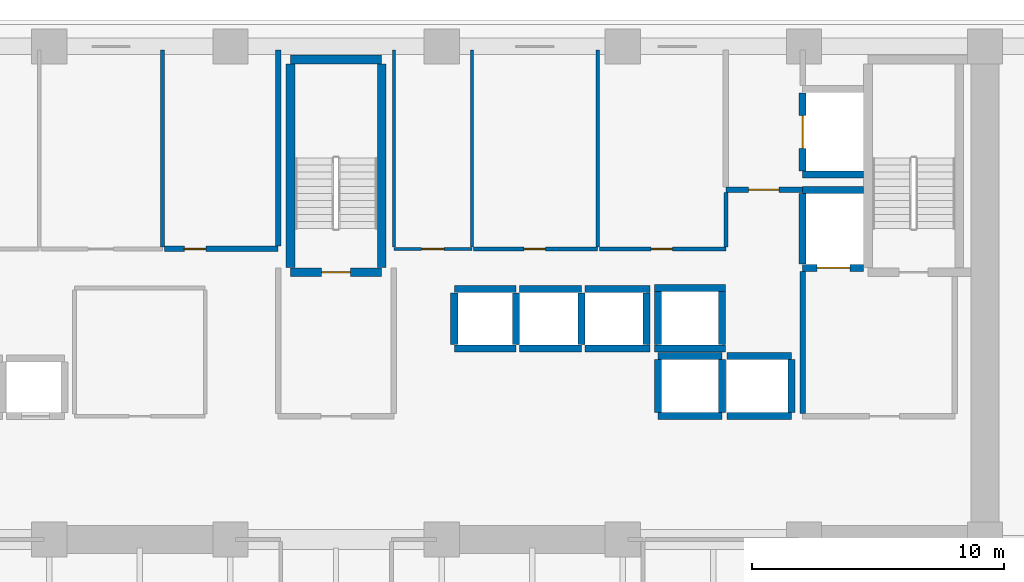
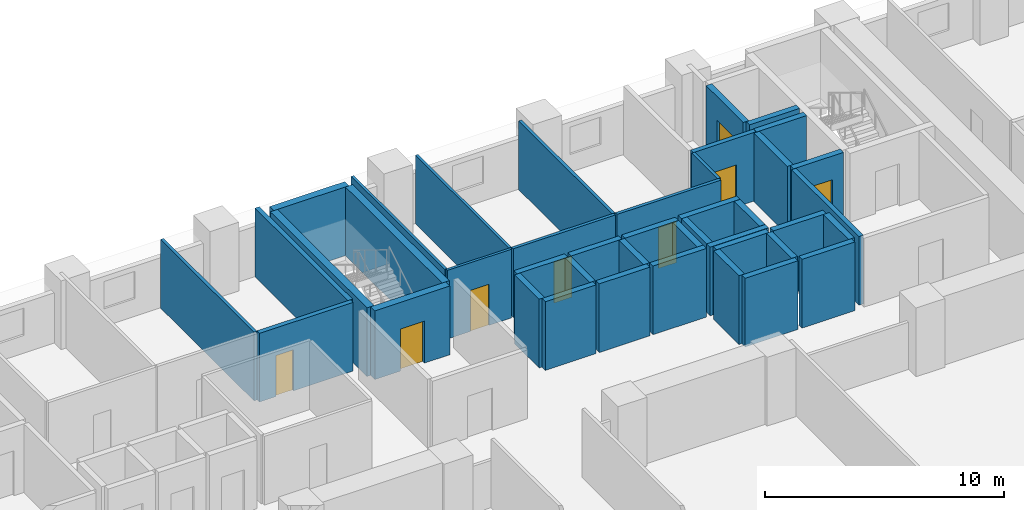
# One storey, part 9 of 16: 42 walls, 8 doors, 8 openings.
"""IFC4 building model written with IfcOpenShell, lengths in metres."""

from ifc_helpers import new_model, si_unit, direction, frame, frame_2d, origin, place, context, subcontext, project, spatial, rectangle, extrude, material, layer, layer_set, type_object, element, fill, save


model = new_model("IFC4")

# Units and contexts
model_context = context("Model", 3, precision=1e-05, world=origin(), true_north=direction((0.0, 1.0)))
body_context = subcontext(model_context, "Body", "Model", "MODEL_VIEW")
ifc_project = project(units=[si_unit("LENGTHUNIT", "METRE"), si_unit("AREAUNIT", "SQUARE_METRE"), si_unit("VOLUMEUNIT", "CUBIC_METRE"), si_unit("PLANEANGLEUNIT", "RADIAN"), si_unit("MASSUNIT", "GRAM", prefix="KILO")], contexts=[model_context])

# Site, building, storey
site_placement = place(None, origin())
site = spatial("IfcSite", under=ifc_project, at=site_placement, CompositionType="ELEMENT")
building_placement = place(site_placement, origin())
building = spatial("IfcBuilding", under=site, at=building_placement, Name="Kaelvorn Grand Hotel", CompositionType="ELEMENT")
storey_placement = place(building_placement, frame((0.0, 0.0, 35.14990234375)))
storey = spatial("IfcBuildingStorey", under=building, at=storey_placement, Name="L06", CompositionType="ELEMENT", Elevation=35.14990234375)

# Wall, opening, door
ifc_material_1 = material(Name="Moisture-Resistant Tile & Stud Board")
ifc_layer_1 = layer(ifc_material_1, 0.125)
ifc_layer_set_1 = layer_set([ifc_layer_1], Name="Moisture-Resistant Tile & Stud Board")
wall_type_1 = type_object("IfcWallType", Name="WL-PART-125-WET", PredefinedType="PARTITIONING", material=ifc_layer_set_1)
wall_1_placement = place(storey_placement, frame((44.300048828125, 40.949951171875, 0.0), z_axis=(0.0, 0.0, 1.0), x_axis=(1.0, 0.0, 0.0)))
wall_1 = element("IfcWall", 1, at=wall_1_placement, inside=storey, type_object=wall_type_1, Name="L06 Accessible WC S Partition", PredefinedType="PARTITIONING", context=body_context, shape_type="SweptSolid", body=[
    extrude(rectangle(XDim=3.099853515625, YDim=0.125, at=frame_2d((1.5498046875, 0.0))), origin(), (0.0, 0.0, 1.0), 3.510009765625),
])
opening_1_placement = place(wall_1_placement, frame((1.10009765625, 0.0, 0.0)))
opening_1 = element("IfcOpeningElement", 2, at=opening_1_placement, cuts=wall_1, Name="Opening DI4", PredefinedType="OPENING", context=body_context, shape_type="SweptSolid", body=[
    extrude(rectangle(XDim=0.89990234375, YDim=2.10009765625, at=frame_2d((0.449951171875, 1.050048828125))), frame((0.0, 0.072509765625, 0.0), z_axis=(0.0, -1.0, 0.0), x_axis=(1.0, 0.0, 0.0)), (0.0, 0.0, 1.0), 0.14501953125),
])
ifc_material_2 = material(Name="Timber Veneer Leaf", Category="wood")
door_type_1 = type_object("IfcDoorType", Name="DR-INT-BATH-900x2100", OperationType="NOTDEFINED", PredefinedType="DOOR", material=ifc_material_2)
door_1_placement = place(opening_1_placement, origin())
door_1 = element("IfcDoor", 3, at=door_1_placement, inside=storey, type_object=door_type_1, Name="L06 Accessible WC Door", OperationType="SINGLE_SWING_LEFT", OverallHeight=2.10009765625, OverallWidth=0.89990234375, PredefinedType="DOOR", context=body_context, shape_type="SweptSolid", body=[
    extrude(rectangle(XDim=0.89990234375, YDim=2.10009765625, at=frame_2d((0.449951171875, 1.050048828125))), frame((0.0, 0.02490234375, 0.0), z_axis=(0.0, -1.0, 0.0), x_axis=(1.0, 0.0, 0.0)), (0.0, 0.0, 1.0), 0.050048828125),
])
fill(opening_1, door_1)

# Walls
for number, where, z_axis, x_axis, name in (
    (4, (44.300048828125, 41.017578125, 0.0), (0.0, 0.0, 1.0), (0.0, 1.0, 0.0), "L06 Accessible WC W Partition"),
    (5, (47.39990234375, 41.017578125, 0.0), (0.0, 0.0, 1.0), (0.0, 1.0, 0.0), "L06 Accessible WC E Partition"),
):
    element("IfcWall", number, at=place(storey_placement, frame(where, z_axis=z_axis, x_axis=x_axis)), inside=storey, type_object=wall_type_1, Name=name, PredefinedType="PARTITIONING", context=body_context, shape_type="SweptSolid", body=[
        extrude(rectangle(XDim=7.83251953125, YDim=0.125, at=frame_2d((3.916259765625, 0.0))), origin(), (0.0, 0.0, 1.0), 3.510009765625),
    ])
ifc_material_3 = material(Name="Acoustic Gypsum & Stud Partition")
ifc_layer_2 = layer(ifc_material_3, 0.14990234375)
ifc_layer_set_2 = layer_set([ifc_layer_2], Name="Acoustic Gypsum & Stud Partition")
wall_type_2 = type_object("IfcWallType", Name="WL-PART-150-EI60", PredefinedType="PARTITIONING", material=ifc_layer_set_2)
wall_2_placement = place(storey_placement, frame((35.10009765625, 41.030029296875, 0.0), z_axis=(0.0, 0.0, 1.0), x_axis=(0.0, 1.0, 0.0)))
element("IfcWall", 6, at=wall_2_placement, inside=storey, type_object=wall_type_2, Name="L06 Room Service Servery Pantry E Partition", PredefinedType="PARTITIONING", context=body_context, shape_type="SweptSolid", body=[
    extrude(rectangle(XDim=7.820068359375, YDim=0.14990234375, at=frame_2d((3.91015625, 0.0))), origin(), (0.0, 0.0, 1.0), 3.510009765625),
])

# Wall, opening, door
wall_3_placement = place(storey_placement, frame((47.467529296875, 40.949951171875, 0.0), z_axis=(0.0, 0.0, 1.0), x_axis=(1.0, 0.0, 0.0)))
wall_3 = element("IfcWall", 7, at=wall_3_placement, inside=storey, type_object=wall_type_2, Name="L06 Valet & Luggage Store S Partition", PredefinedType="PARTITIONING", context=body_context, shape_type="SweptSolid", body=[
    extrude(rectangle(XDim=4.932373046875, YDim=0.14990234375, at=frame_2d((2.46630859375, 0.0))), origin(), (0.0, 0.0, 1.0), 3.510009765625),
])
opening_2_placement = place(wall_3_placement, frame((2.007568359375, 0.0, 0.0)))
opening_2 = element("IfcOpeningElement", 8, at=opening_2_placement, cuts=wall_3, Name="Opening DI7", PredefinedType="OPENING", context=body_context, shape_type="SweptSolid", body=[
    extrude(rectangle(XDim=0.85009765625, YDim=2.10009765625, at=frame_2d((0.425048828125, 1.050048828125))), frame((0.0, 0.0849609375, 0.0), z_axis=(0.0, -1.0, 0.0), x_axis=(1.0, 0.0, 0.0)), (0.0, 0.0, 1.0), 0.169921875),
])
ifc_material_4 = material(Name="Powder-Coated Steel Leaf", Category="steel")
door_type_2 = type_object("IfcDoorType", Name="DR-INT-RISER-850x2100", OperationType="NOTDEFINED", PredefinedType="DOOR", material=ifc_material_4)
door_2_placement = place(opening_2_placement, origin())
door_2 = element("IfcDoor", 9, at=door_2_placement, inside=storey, type_object=door_type_2, Name="L06 Valet & Luggage Store Door", OperationType="SINGLE_SWING_RIGHT", OverallHeight=2.10009765625, OverallWidth=0.85009765625, PredefinedType="DOOR", context=body_context, shape_type="SweptSolid", body=[
    extrude(rectangle(XDim=0.85009765625, YDim=2.10009765625, at=frame_2d((0.425048828125, 1.050048828125))), frame((0.0, 0.02490234375, 0.0), z_axis=(0.0, -1.0, 0.0), x_axis=(1.0, 0.0, 0.0)), (0.0, 0.0, 1.0), 0.050048828125),
])
fill(opening_2, door_2)

# Wall
wall_4_placement = place(storey_placement, frame((52.39990234375, 41.030029296875, 0.0), z_axis=(0.0, 0.0, 1.0), x_axis=(0.0, 1.0, 0.0)))
element("IfcWall", 10, at=wall_4_placement, inside=storey, type_object=wall_type_2, Name="L06 Valet & Luggage Store E Partition", PredefinedType="PARTITIONING", context=body_context, shape_type="SweptSolid", body=[
    extrude(rectangle(XDim=7.820068359375, YDim=0.14990234375, at=frame_2d((3.91015625, 0.0))), origin(), (0.0, 0.0, 1.0), 3.510009765625),
])

# Wall, opening, door
wall_5_placement = place(storey_placement, frame((52.47998046875, 40.949951171875, 0.0), z_axis=(0.0, 0.0, 1.0), x_axis=(1.0, 0.0, 0.0)))
wall_5 = element("IfcWall", 11, at=wall_5_placement, inside=storey, type_object=wall_type_2, Name="L06 Clean Utility & Amenity Store S Partition", PredefinedType="PARTITIONING", context=body_context, shape_type="SweptSolid", body=[
    extrude(rectangle(XDim=5.02001953125, YDim=0.14990234375, at=frame_2d((2.510009765625, 0.0))), origin(), (0.0, 0.0, 1.0), 3.510009765625),
])
opening_3_placement = place(wall_5_placement, frame((2.044921875, 0.0, 0.0)))
opening_3 = element("IfcOpeningElement", 12, at=opening_3_placement, cuts=wall_5, Name="Opening DI7", PredefinedType="OPENING", context=body_context, shape_type="SweptSolid", body=[
    extrude(rectangle(XDim=0.85009765625, YDim=2.10009765625, at=frame_2d((0.425048828125, 1.050048828125))), frame((0.0, 0.0849609375, 0.0), z_axis=(0.0, -1.0, 0.0), x_axis=(1.0, 0.0, 0.0)), (0.0, 0.0, 1.0), 0.169921875),
])
door_3_placement = place(opening_3_placement, origin())
door_3 = element("IfcDoor", 13, at=door_3_placement, inside=storey, type_object=door_type_2, Name="L06 Clean Utility & Amenity Store Door", OperationType="SINGLE_SWING_LEFT", OverallHeight=2.10009765625, OverallWidth=0.85009765625, PredefinedType="DOOR", context=body_context, shape_type="SweptSolid", body=[
    extrude(rectangle(XDim=0.85009765625, YDim=2.10009765625, at=frame_2d((0.425048828125, 1.050048828125))), frame((0.0, 0.02490234375, 0.0), z_axis=(0.0, -1.0, 0.0), x_axis=(1.0, 0.0, 0.0)), (0.0, 0.0, 1.0), 0.050048828125),
])
fill(opening_3, door_3)

# Walls
wall_6_placement = place(storey_placement, frame((57.5, 41.030029296875, 0.0), z_axis=(0.0, 0.0, 1.0), x_axis=(0.0, 1.0, 0.0)))
element("IfcWall", 14, at=wall_6_placement, inside=storey, type_object=wall_type_2, Name="L06 Clean Utility & Amenity Store E Partition", PredefinedType="PARTITIONING", context=body_context, shape_type="SweptSolid", body=[
    extrude(rectangle(XDim=2.155029296875, YDim=0.14990234375, at=frame_2d((1.07763671875, 0.0))), origin(), (0.0, 0.0, 1.0), 3.510009765625),
])
ifc_material_5 = material(Name="Concrete C40/50", Category="concrete")
ifc_layer_3 = layer(ifc_material_5, 0.219970703125)
ifc_layer_set_3 = layer_set([ifc_layer_3], Name="Concrete C40/50")
wall_type_3 = type_object("IfcWallType", Name="WL-PART-220-EI120", PredefinedType="PARTITIONING", material=ifc_layer_set_3)
wall_7_placement = place(storey_placement, frame((60.550048828125, 34.4150390625, 0.0), z_axis=(0.0, 0.0, 1.0), x_axis=(0.0, 1.0, 0.0)))
element("IfcWall", 15, at=wall_7_placement, inside=storey, type_object=wall_type_3, Name="L06 Firefighting Lift Lobby 2 W Partition", PredefinedType="PARTITIONING", context=body_context, shape_type="SweptSolid", body=[
    extrude(rectangle(XDim=5.639892578125, YDim=0.219970703125, at=frame_2d((2.81982421875, 0.0))), origin(), (0.0, 0.0, 1.0), 3.510009765625),
])

# Wall, opening, door
wall_8_placement = place(storey_placement, frame((57.5, 43.300048828125, 0.0), z_axis=(0.0, 0.0, 1.0), x_axis=(1.0, 0.0, 0.0)))
wall_8 = element("IfcWall", 16, at=wall_8_placement, inside=storey, type_object=wall_type_3, Name="L06 Service Lift Lobby S Partition", PredefinedType="PARTITIONING", context=body_context, shape_type="SweptSolid", body=[
    extrude(rectangle(XDim=3.0400390625, YDim=0.219970703125, at=frame_2d((1.52001953125, 0.0))), origin(), (0.0, 0.0, 1.0), 3.510009765625),
])
opening_4_placement = place(wall_8_placement, frame((0.89990234375, 0.0, 0.0)))
opening_4 = element("IfcOpeningElement", 17, at=opening_4_placement, cuts=wall_8, Name="Opening DI2", PredefinedType="OPENING", context=body_context, shape_type="SweptSolid", body=[
    extrude(rectangle(XDim=1.199951171875, YDim=2.14990234375, at=frame_2d((0.60009765625, 1.074951171875))), frame((0.0, 0.1201171875, 0.0), z_axis=(0.0, -1.0, 0.0), x_axis=(1.0, 0.0, 0.0)), (0.0, 0.0, 1.0), 0.239990234375),
])
ifc_material_6 = material(Name="Timber Veneer Fire Leaf", Category="wood")
door_type_3 = type_object("IfcDoorType", Name="DR-INT-FFLOB-1200x2150", OperationType="NOTDEFINED", PredefinedType="DOOR", material=ifc_material_6)
door_4_placement = place(opening_4_placement, origin())
door_4 = element("IfcDoor", 18, at=door_4_placement, inside=storey, type_object=door_type_3, Name="L06 Service Lift Lobby Door", OperationType="SINGLE_SWING_RIGHT", OverallHeight=2.14990234375, OverallWidth=1.199951171875, PredefinedType="DOOR", context=body_context, shape_type="SweptSolid", body=[
    extrude(rectangle(XDim=1.199951171875, YDim=2.14990234375, at=frame_2d((0.60009765625, 1.074951171875))), frame((0.0, 0.02490234375, 0.0), z_axis=(0.0, -1.0, 0.0), x_axis=(1.0, 0.0, 0.0)), (0.0, 0.0, 1.0), 0.050048828125),
])
fill(opening_4, door_4)

wall_9_placement = place(storey_placement, frame((35.179931640625, 40.949951171875, 0.0), z_axis=(0.0, 0.0, 1.0), x_axis=(1.0, 0.0, 0.0)))
wall_9 = element("IfcWall", 19, at=wall_9_placement, inside=storey, type_object=wall_type_3, Name="L06 Floor Electrical Switchroom S Partition", PredefinedType="PARTITIONING", context=body_context, shape_type="SweptSolid", body=[
    extrude(rectangle(XDim=4.52001953125, YDim=0.219970703125, at=frame_2d((2.260009765625, 0.0))), origin(), (0.0, 0.0, 1.0), 3.510009765625),
])
opening_5_placement = place(wall_9_placement, frame((0.794921875, 0.0, 0.0)))
opening_5 = element("IfcOpeningElement", 20, at=opening_5_placement, cuts=wall_9, Name="Opening DI7", PredefinedType="OPENING", context=body_context, shape_type="SweptSolid", body=[
    extrude(rectangle(XDim=0.85009765625, YDim=2.10009765625, at=frame_2d((0.425048828125, 1.050048828125))), frame((0.0, 0.1201171875, 0.0), z_axis=(0.0, -1.0, 0.0), x_axis=(1.0, 0.0, 0.0)), (0.0, 0.0, 1.0), 0.239990234375),
])
door_5_placement = place(opening_5_placement, origin())
door_5 = element("IfcDoor", 21, at=door_5_placement, inside=storey, type_object=door_type_2, Name="L06 Floor Electrical Switchroom Door", OperationType="SINGLE_SWING_RIGHT", OverallHeight=2.10009765625, OverallWidth=0.85009765625, PredefinedType="DOOR", context=body_context, shape_type="SweptSolid", body=[
    extrude(rectangle(XDim=0.85009765625, YDim=2.10009765625, at=frame_2d((0.425048828125, 1.050048828125))), frame((0.0, 0.02490234375, 0.0), z_axis=(0.0, -1.0, 0.0), x_axis=(1.0, 0.0, 0.0)), (0.0, 0.0, 1.0), 0.050048828125),
])
fill(opening_5, door_5)

# Walls
wall_10_placement = place(storey_placement, frame((39.699951171875, 41.06494140625, 0.0), z_axis=(0.0, 0.0, 1.0), x_axis=(0.0, 1.0, 0.0)))
element("IfcWall", 22, at=wall_10_placement, inside=storey, type_object=wall_type_3, Name="L06 Floor Electrical Switchroom E Partition", PredefinedType="PARTITIONING", context=body_context, shape_type="SweptSolid", body=[
    extrude(rectangle(XDim=7.78515625, YDim=0.219970703125, at=frame_2d((3.892578125, 0.0))), origin(), (0.0, 0.0, 1.0), 3.510009765625),
])
ifc_material_7 = material(Name="Concrete C50/60", Category="concrete")
ifc_layer_4 = layer(ifc_material_7, 0.280029296875)
ifc_layer_set_4 = layer_set([ifc_layer_4], Name="Concrete C50/60")
wall_type_4 = type_object("IfcWallType", Name="WL-SHAFT-280-C50", PredefinedType="SHEAR", material=ifc_layer_set_4)
for number, where, z_axis, x_axis, name in (
    (23, (46.699951171875, 37.0, 0.0), (0.0, 0.0, 1.0), (1.0, 0.0, 0.0), "L06 Lift SL-1 Shaft South Wall"),
    (24, (46.699951171875, 39.35009765625, 0.0), (0.0, 0.0, 1.0), (1.0, 0.0, 0.0), "L06 Lift SL-1 Shaft North Wall"),
):
    element("IfcWall", number, at=place(storey_placement, frame(where, z_axis=z_axis, x_axis=x_axis)), inside=storey, type_object=wall_type_4, Name=name, PredefinedType="SHEAR", context=body_context, shape_type="SweptSolid", body=[
        extrude(rectangle(XDim=2.449951171875, YDim=0.280029296875, at=frame_2d((1.22509765625, 0.0))), origin(), (0.0, 0.0, 1.0), 3.510009765625),
    ])
for number, where, z_axis, x_axis, name in (
    (25, (46.699951171875, 37.14501953125, 0.0), (0.0, 0.0, 1.0), (0.0, 1.0, 0.0), "L06 Lift SL-1 Shaft West Wall"),
    (26, (49.14990234375, 37.14501953125, 0.0), (0.0, 0.0, 1.0), (0.0, 1.0, 0.0), "L06 Lift SL-1 Shaft East Wall"),
):
    element("IfcWall", number, at=place(storey_placement, frame(where, z_axis=z_axis, x_axis=x_axis)), inside=storey, type_object=wall_type_4, Name=name, PredefinedType="SHEAR", context=body_context, shape_type="SweptSolid", body=[
        extrude(rectangle(XDim=2.06005859375, YDim=0.280029296875, at=frame_2d((1.030029296875, 0.0))), origin(), (0.0, 0.0, 1.0), 3.510009765625),
    ])
for number, where, z_axis, x_axis, name in (
    (27, (49.300048828125, 37.0, 0.0), (0.0, 0.0, 1.0), (1.0, 0.0, 0.0), "L06 Lift SL-2 Shaft South Wall"),
    (28, (49.300048828125, 39.35009765625, 0.0), (0.0, 0.0, 1.0), (1.0, 0.0, 0.0), "L06 Lift SL-2 Shaft North Wall"),
):
    element("IfcWall", number, at=place(storey_placement, frame(where, z_axis=z_axis, x_axis=x_axis)), inside=storey, type_object=wall_type_4, Name=name, PredefinedType="SHEAR", context=body_context, shape_type="SweptSolid", body=[
        extrude(rectangle(XDim=2.449951171875, YDim=0.280029296875, at=frame_2d((1.22509765625, 0.0))), origin(), (0.0, 0.0, 1.0), 3.510009765625),
    ])
wall_11_placement = place(storey_placement, frame((51.75, 37.14501953125, 0.0), z_axis=(0.0, 0.0, 1.0), x_axis=(0.0, 1.0, 0.0)))
element("IfcWall", 29, at=wall_11_placement, inside=storey, type_object=wall_type_4, Name="L06 Lift SL-2 Shaft East Wall", PredefinedType="SHEAR", context=body_context, shape_type="SweptSolid", body=[
    extrude(rectangle(XDim=2.06005859375, YDim=0.280029296875, at=frame_2d((1.030029296875, 0.0))), origin(), (0.0, 0.0, 1.0), 3.510009765625),
])
for number, where, z_axis, x_axis, name in (
    (30, (51.89990234375, 37.0, 0.0), (0.0, 0.0, 1.0), (1.0, 0.0, 0.0), "L06 Lift SL-3 Shaft South Wall"),
    (31, (51.89990234375, 39.35009765625, 0.0), (0.0, 0.0, 1.0), (1.0, 0.0, 0.0), "L06 Lift SL-3 Shaft North Wall"),
):
    element("IfcWall", number, at=place(storey_placement, frame(where, z_axis=z_axis, x_axis=x_axis)), inside=storey, type_object=wall_type_4, Name=name, PredefinedType="SHEAR", context=body_context, shape_type="SweptSolid", body=[
        extrude(rectangle(XDim=2.590087890625, YDim=0.280029296875, at=frame_2d((1.294921875, 0.0))), origin(), (0.0, 0.0, 1.0), 3.510009765625),
    ])
wall_12_placement = place(storey_placement, frame((54.35009765625, 37.14501953125, 0.0), z_axis=(0.0, 0.0, 1.0), x_axis=(0.0, 1.0, 0.0)))
element("IfcWall", 32, at=wall_12_placement, inside=storey, type_object=wall_type_4, Name="L06 Lift SL-3 Shaft East Wall", PredefinedType="SHEAR", context=body_context, shape_type="SweptSolid", body=[
    extrude(rectangle(XDim=2.06005859375, YDim=0.280029296875, at=frame_2d((1.030029296875, 0.0))), origin(), (0.0, 0.0, 1.0), 3.510009765625),
])
for number, where, z_axis, x_axis, name in (
    (33, (54.800048828125, 34.300048828125, 0.0), (0.0, 0.0, 1.0), (1.0, 0.0, 0.0), "L06 Lift OL-1 Shaft South Wall"),
    (34, (54.800048828125, 36.699951171875, 0.0), (0.0, 0.0, 1.0), (1.0, 0.0, 0.0), "L06 Lift OL-1 Shaft North Wall"),
):
    element("IfcWall", number, at=place(storey_placement, frame(where, z_axis=z_axis, x_axis=x_axis)), inside=storey, type_object=wall_type_4, Name=name, PredefinedType="SHEAR", context=body_context, shape_type="SweptSolid", body=[
        extrude(rectangle(XDim=2.550048828125, YDim=0.280029296875, at=frame_2d((1.27490234375, 0.0))), origin(), (0.0, 0.0, 1.0), 3.510009765625),
    ])
for number, where, z_axis, x_axis, name in (
    (35, (54.800048828125, 34.445068359375, 0.0), (0.0, 0.0, 1.0), (0.0, 1.0, 0.0), "L06 Lift OL-1 Shaft West Wall"),
    (36, (57.35009765625, 34.445068359375, 0.0), (0.0, 0.0, 1.0), (0.0, 1.0, 0.0), "L06 Lift OL-1 Shaft East Wall"),
):
    element("IfcWall", number, at=place(storey_placement, frame(where, z_axis=z_axis, x_axis=x_axis)), inside=storey, type_object=wall_type_4, Name=name, PredefinedType="SHEAR", context=body_context, shape_type="SweptSolid", body=[
        extrude(rectangle(XDim=2.10986328125, YDim=0.280029296875, at=frame_2d((1.054931640625, 0.0))), origin(), (0.0, 0.0, 1.0), 3.510009765625),
    ])
for number, where, z_axis, x_axis, name in (
    (37, (57.550048828125, 34.300048828125, 0.0), (0.0, 0.0, 1.0), (1.0, 0.0, 0.0), "L06 Lift OL-2 Shaft South Wall"),
    (38, (57.550048828125, 36.699951171875, 0.0), (0.0, 0.0, 1.0), (1.0, 0.0, 0.0), "L06 Lift OL-2 Shaft North Wall"),
):
    element("IfcWall", number, at=place(storey_placement, frame(where, z_axis=z_axis, x_axis=x_axis)), inside=storey, type_object=wall_type_4, Name=name, PredefinedType="SHEAR", context=body_context, shape_type="SweptSolid", body=[
        extrude(rectangle(XDim=2.550048828125, YDim=0.280029296875, at=frame_2d((1.27490234375, 0.0))), origin(), (0.0, 0.0, 1.0), 3.510009765625),
    ])
wall_13_placement = place(storey_placement, frame((60.10009765625, 34.445068359375, 0.0), z_axis=(0.0, 0.0, 1.0), x_axis=(0.0, 1.0, 0.0)))
element("IfcWall", 39, at=wall_13_placement, inside=storey, type_object=wall_type_4, Name="L06 Lift OL-2 Shaft East Wall", PredefinedType="SHEAR", context=body_context, shape_type="SweptSolid", body=[
    extrude(rectangle(XDim=2.10986328125, YDim=0.280029296875, at=frame_2d((1.054931640625, 0.0))), origin(), (0.0, 0.0, 1.0), 3.510009765625),
])
for number, where, z_axis, x_axis, name in (
    (40, (54.659912109375, 37.0, 0.0), (0.0, 0.0, 1.0), (1.0, 0.0, 0.0), "L06 Lift OL-3 Shaft South Wall"),
    (41, (54.659912109375, 39.39990234375, 0.0), (0.0, 0.0, 1.0), (1.0, 0.0, 0.0), "L06 Lift OL-3 Shaft North Wall"),
):
    element("IfcWall", number, at=place(storey_placement, frame(where, z_axis=z_axis, x_axis=x_axis)), inside=storey, type_object=wall_type_4, Name=name, PredefinedType="SHEAR", context=body_context, shape_type="SweptSolid", body=[
        extrude(rectangle(XDim=2.830078125, YDim=0.280029296875, at=frame_2d((1.4150390625, 0.0))), origin(), (0.0, 0.0, 1.0), 3.510009765625),
    ])
for number, where, z_axis, x_axis, name in (
    (42, (54.800048828125, 37.14501953125, 0.0), (0.0, 0.0, 1.0), (0.0, 1.0, 0.0), "L06 Lift OL-3 Shaft West Wall"),
    (43, (57.35009765625, 37.14501953125, 0.0), (0.0, 0.0, 1.0), (0.0, 1.0, 0.0), "L06 Lift OL-3 Shaft East Wall"),
):
    element("IfcWall", number, at=place(storey_placement, frame(where, z_axis=z_axis, x_axis=x_axis)), inside=storey, type_object=wall_type_4, Name=name, PredefinedType="SHEAR", context=body_context, shape_type="SweptSolid", body=[
        extrude(rectangle(XDim=2.10986328125, YDim=0.280029296875, at=frame_2d((1.054931640625, 0.0))), origin(), (0.0, 0.0, 1.0), 3.510009765625),
    ])

# Wall, opening, door
wall_14_placement = place(storey_placement, frame((60.550048828125, 40.199951171875, 0.0), z_axis=(0.0, 0.0, 1.0), x_axis=(1.0, 0.0, 0.0)))
wall_14 = element("IfcWall", 44, at=wall_14_placement, inside=storey, type_object=wall_type_4, Name="L06 Lift FFL2 Shaft South Wall", PredefinedType="SHEAR", context=body_context, shape_type="SweptSolid", body=[
    extrude(rectangle(XDim=2.4150390625, YDim=0.280029296875, at=frame_2d((1.20751953125, 0.0))), origin(), (0.0, 0.0, 1.0), 3.510009765625),
])
opening_6_placement = place(wall_14_placement, frame((0.574951171875, 0.0, 0.0)))
opening_6 = element("IfcOpeningElement", 45, at=opening_6_placement, cuts=wall_14, Name="Opening LD-FFL2", PredefinedType="OPENING", context=body_context, shape_type="SweptSolid", body=[
    extrude(rectangle(XDim=1.300048828125, YDim=2.300048828125, at=frame_2d((0.64990234375, 1.14990234375))), frame((0.0, 0.14990234375, 0.0), z_axis=(0.0, -1.0, 0.0), x_axis=(1.0, 0.0, 0.0)), (0.0, 0.0, 1.0), 0.300048828125),
])
ifc_material_8 = material(Name="Stainless Steel", Category="steel")
door_type_4 = type_object("IfcDoorType", Name="DR-LIFT-SERV-1300x2300", OperationType="DOUBLE_DOOR_SLIDING", PredefinedType="DOOR", material=ifc_material_8)
door_6_placement = place(opening_6_placement, origin())
door_6 = element("IfcDoor", 46, at=door_6_placement, inside=storey, type_object=door_type_4, Name="L06 Lift FFL2 Sliding Landing Door LD-FFL2", OperationType="DOUBLE_DOOR_SLIDING", OverallHeight=2.300048828125, OverallWidth=1.300048828125, PredefinedType="DOOR", context=body_context, shape_type="SweptSolid", body=[
    extrude(rectangle(XDim=1.300048828125, YDim=2.300048828125, at=frame_2d((0.64990234375, 1.14990234375))), frame((0.0, 0.02490234375, 0.0), z_axis=(0.0, -1.0, 0.0), x_axis=(1.0, 0.0, 0.0)), (0.0, 0.0, 1.0), 0.050048828125),
])
fill(opening_6, door_6)

# Walls
wall_15_placement = place(storey_placement, frame((60.550048828125, 43.300048828125, 0.0), z_axis=(0.0, 0.0, 1.0), x_axis=(1.0, 0.0, 0.0)))
element("IfcWall", 47, at=wall_15_placement, inside=storey, type_object=wall_type_4, Name="L06 Lift FFL2 Shaft North Wall", PredefinedType="SHEAR", context=body_context, shape_type="SweptSolid", body=[
    extrude(rectangle(XDim=2.4150390625, YDim=0.280029296875, at=frame_2d((1.20751953125, 0.0))), origin(), (0.0, 0.0, 1.0), 3.510009765625),
])
wall_16_placement = place(storey_placement, frame((60.550048828125, 40.344970703125, 0.0), z_axis=(0.0, 0.0, 1.0), x_axis=(0.0, 1.0, 0.0)))
element("IfcWall", 48, at=wall_16_placement, inside=storey, type_object=wall_type_4, Name="L06 Lift FFL2 Shaft West Wall", PredefinedType="SHEAR", context=body_context, shape_type="SweptSolid", body=[
    extrude(rectangle(XDim=2.81005859375, YDim=0.280029296875, at=frame_2d((1.405029296875, 0.0))), origin(), (0.0, 0.0, 1.0), 3.510009765625),
])
wall_17_placement = place(storey_placement, frame((60.550048828125, 43.89990234375, 0.0), z_axis=(0.0, 0.0, 1.0), x_axis=(1.0, 0.0, 0.0)))
element("IfcWall", 49, at=wall_17_placement, inside=storey, type_object=wall_type_4, Name="L06 Lift SV1 Shaft South Wall", PredefinedType="SHEAR", context=body_context, shape_type="SweptSolid", body=[
    extrude(rectangle(XDim=2.4150390625, YDim=0.280029296875, at=frame_2d((1.20751953125, 0.0))), origin(), (0.0, 0.0, 1.0), 3.510009765625),
])

# Wall, opening, door
wall_18_placement = place(storey_placement, frame((60.550048828125, 44.044921875, 0.0), z_axis=(0.0, 0.0, 1.0), x_axis=(0.0, 1.0, 0.0)))
wall_18 = element("IfcWall", 50, at=wall_18_placement, inside=storey, type_object=wall_type_4, Name="L06 Lift SV1 Shaft West Wall", PredefinedType="SHEAR", context=body_context, shape_type="SweptSolid", body=[
    extrude(rectangle(XDim=3.110107421875, YDim=0.280029296875, at=frame_2d((1.55517578125, 0.0))), origin(), (0.0, 0.0, 1.0), 3.510009765625),
])
opening_7_placement = place(wall_18_placement, frame((0.905029296875, 0.0, 0.0)))
opening_7 = element("IfcOpeningElement", 51, at=opening_7_placement, cuts=wall_18, Name="Opening LD-SV1", PredefinedType="OPENING", context=body_context, shape_type="SweptSolid", body=[
    extrude(rectangle(XDim=1.300048828125, YDim=2.300048828125, at=frame_2d((0.64990234375, 1.14990234375))), frame((0.0, 0.14990234375, 0.0), z_axis=(0.0, -1.0, 0.0), x_axis=(1.0, 0.0, 0.0)), (0.0, 0.0, 1.0), 0.300048828125),
])
door_7_placement = place(opening_7_placement, origin())
door_7 = element("IfcDoor", 52, at=door_7_placement, inside=storey, type_object=door_type_4, Name="L06 Lift SV1 Sliding Landing Door LD-SV1", OperationType="DOUBLE_DOOR_SLIDING", OverallHeight=2.300048828125, OverallWidth=1.300048828125, PredefinedType="DOOR", context=body_context, shape_type="SweptSolid", body=[
    extrude(rectangle(XDim=1.300048828125, YDim=2.300048828125, at=frame_2d((0.64990234375, 1.14990234375))), frame((0.0, 0.02490234375, 0.0), z_axis=(0.0, -1.0, 0.0), x_axis=(1.0, 0.0, 0.0)), (0.0, 0.0, 1.0), 0.050048828125),
])
fill(opening_7, door_7)

ifc_material_9 = material(Name="Concrete C60/75", Category="concrete")
ifc_layer_5 = layer(ifc_material_9, 0.35009765625)
ifc_layer_set_5 = layer_set([ifc_layer_5], Name="Concrete C60/75")
wall_type_5 = type_object("IfcWallType", Name="WL-SHAFT-350-C60", PredefinedType="SHEAR", material=ifc_layer_set_5)
wall_19_placement = place(storey_placement, frame((40.18505859375, 40.02490234375, 0.0), z_axis=(0.0, 0.0, 1.0), x_axis=(1.0, 0.0, 0.0)))
wall_19 = element("IfcWall", 53, at=wall_19_placement, inside=storey, type_object=wall_type_5, Name="L06 ST2 Stair Shaft South Wall", PredefinedType="SHEAR", context=body_context, shape_type="SweptSolid", body=[
    extrude(rectangle(XDim=3.6298828125, YDim=0.35009765625, at=frame_2d((1.81494140625, 0.0))), origin(), (0.0, 0.0, 1.0), 3.510009765625),
])
opening_8_placement = place(wall_19_placement, frame((1.239990234375, 0.0, 0.0)))
opening_8 = element("IfcOpeningElement", 54, at=opening_8_placement, cuts=wall_19, Name="Opening DI1", PredefinedType="OPENING", context=body_context, shape_type="SweptSolid", body=[
    extrude(rectangle(XDim=1.14990234375, YDim=2.14990234375, at=frame_2d((0.574951171875, 1.074951171875))), frame((0.0, 0.18505859375, 0.0), z_axis=(0.0, -1.0, 0.0), x_axis=(1.0, 0.0, 0.0)), (0.0, 0.0, 1.0), 0.3701171875),
])
door_type_5 = type_object("IfcDoorType", Name="DR-INT-STAIR-1150x2150", OperationType="NOTDEFINED", PredefinedType="DOOR", material=ifc_material_6)
door_8_placement = place(opening_8_placement, origin())
door_8 = element("IfcDoor", 55, at=door_8_placement, inside=storey, type_object=door_type_5, Name="L06 ST2 Exit Stair Fire Door", OperationType="SINGLE_SWING_LEFT", OverallHeight=2.14990234375, OverallWidth=1.14990234375, PredefinedType="DOOR", context=body_context, shape_type="SweptSolid", body=[
    extrude(rectangle(XDim=1.14990234375, YDim=2.14990234375, at=frame_2d((0.574951171875, 1.074951171875))), frame((0.0, 0.02490234375, 0.0), z_axis=(0.0, -1.0, 0.0), x_axis=(1.0, 0.0, 0.0)), (0.0, 0.0, 1.0), 0.050048828125),
])
fill(opening_8, door_8)

# Walls
wall_20_placement = place(storey_placement, frame((40.18505859375, 48.47509765625, 0.0), z_axis=(0.0, 0.0, 1.0), x_axis=(1.0, 0.0, 0.0)))
element("IfcWall", 56, at=wall_20_placement, inside=storey, type_object=wall_type_5, Name="L06 ST2 Stair Shaft North Wall", PredefinedType="SHEAR", context=body_context, shape_type="SweptSolid", body=[
    extrude(rectangle(XDim=3.6298828125, YDim=0.35009765625, at=frame_2d((1.81494140625, 0.0))), origin(), (0.0, 0.0, 1.0), 3.510009765625),
])
for number, where, z_axis, x_axis, name in (
    (57, (40.18505859375, 40.205078125, 0.0), (0.0, 0.0, 1.0), (0.0, 1.0, 0.0), "L06 ST2 Stair Shaft West Wall"),
    (58, (43.81494140625, 40.205078125, 0.0), (0.0, 0.0, 1.0), (0.0, 1.0, 0.0), "L06 ST2 Stair Shaft East Wall"),
):
    element("IfcWall", number, at=place(storey_placement, frame(where, z_axis=z_axis, x_axis=x_axis)), inside=storey, type_object=wall_type_5, Name=name, PredefinedType="SHEAR", context=body_context, shape_type="SweptSolid", body=[
        extrude(rectangle(XDim=8.08984375, YDim=0.35009765625, at=frame_2d((4.044921875, 0.0))), origin(), (0.0, 0.0, 1.0), 3.510009765625),
    ])

save(model, "model.ifc")
